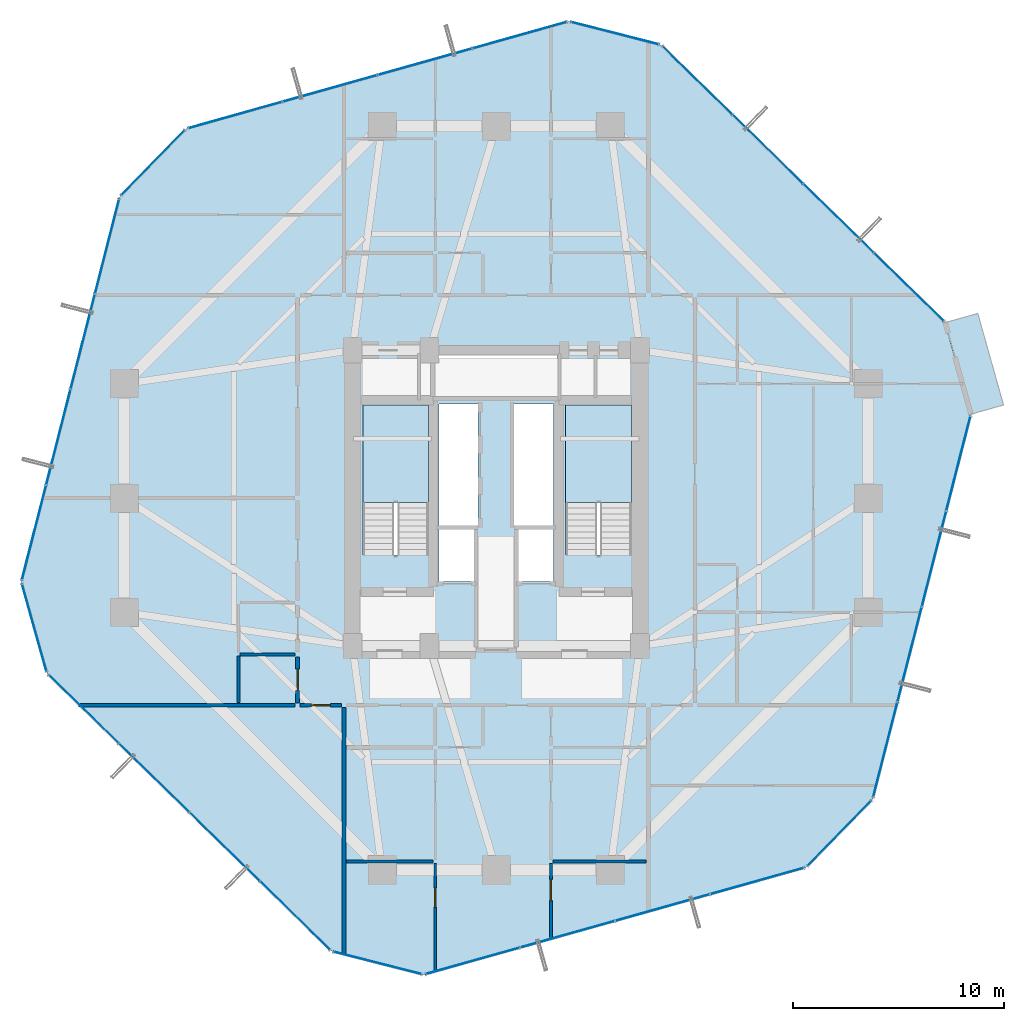
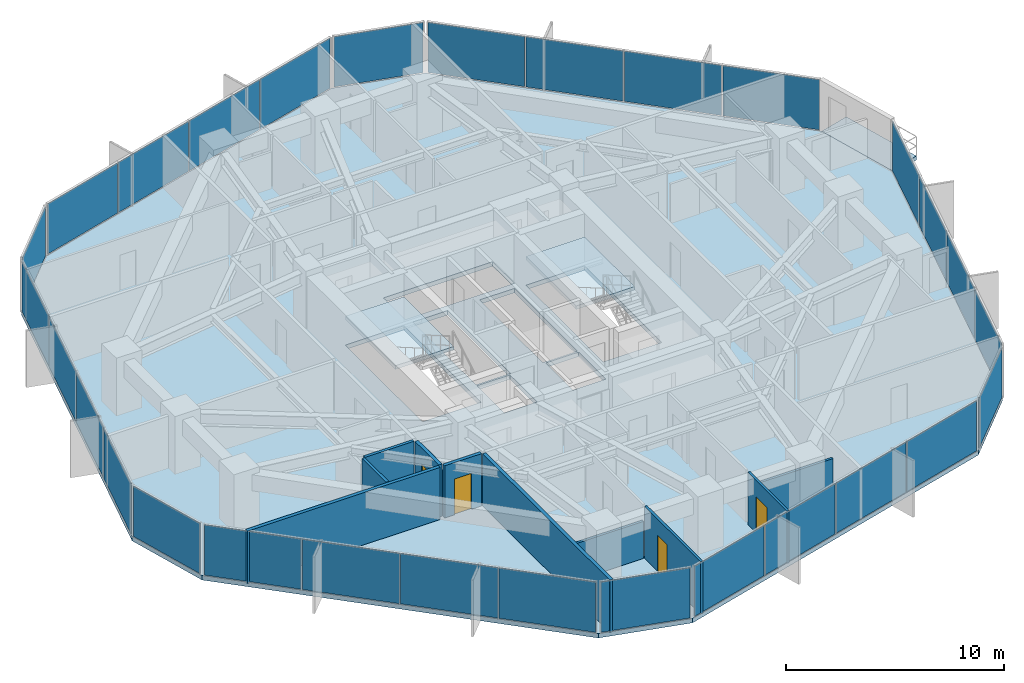
# One storey, part 33 of 39: 29 plates, 10 walls, 4 doors, 4 slabs, 4 openings, 13 elements without a shape of their own.
"""IFC4 building model written with IfcOpenShell, lengths in metres."""

from ifc_helpers import new_model, si_unit, direction, frame, frame_2d, origin, origin_2d, place, context, subcontext, project, spatial, polyline, rectangle, outline, extrude, source, transform, mapped, material, layer, layer_set, type_object, element, fill, aggregate, save


model = new_model("IFC4")

# Units and contexts
model_context = context("Model", 3, precision=1e-05, world=origin(), true_north=direction((0.0, 1.0)))
body_context = subcontext(model_context, "Body", "Model", "MODEL_VIEW")
ifc_project = project(units=[si_unit("LENGTHUNIT", "METRE"), si_unit("AREAUNIT", "SQUARE_METRE"), si_unit("VOLUMEUNIT", "CUBIC_METRE"), si_unit("PLANEANGLEUNIT", "RADIAN"), si_unit("MASSUNIT", "GRAM", prefix="KILO")], contexts=[model_context])

# Site, building, storey
site_placement = place(None, origin())
site = spatial("IfcSite", under=ifc_project, at=site_placement, CompositionType="ELEMENT")
building_placement = place(site_placement, origin())
building = spatial("IfcBuilding", under=site, at=building_placement, Name="Veraguas Prism Commons", CompositionType="ELEMENT")
storey_placement = place(building_placement, frame((0.0, 0.0, 77.10009765625)))
storey = spatial("IfcBuildingStorey", under=building, at=storey_placement, Name="L21", CompositionType="ELEMENT", Elevation=77.10009765625)

# Stair, slab
ifc_material_1 = material(Name="Precast concrete C45/55", Category="concrete")
stair_type = type_object("IfcStairType", Name="Dogleg Core Stair 1480W 20R 05", PredefinedType="HALF_TURN_STAIR", material=ifc_material_1)
stair_1_placement = place(storey_placement, origin())
stair_1 = element("IfcStair", 1, at=stair_1_placement, inside=storey, type_object=stair_type, Name="Protected Exit Stair ST-01 L21", PredefinedType="HALF_TURN_STAIR")
ifc_layer_1 = layer(ifc_material_1, 0.199951171875, Name="Precast Stair and Ramp Landing Slab 200", Category="concrete")
ifc_layer_set_1 = layer_set([ifc_layer_1], Name="Precast concrete C45/55")
slab_type_1 = type_object("IfcSlabType", Name="Precast Stair and Ramp Landing Slab 200", PredefinedType="LANDING", material=ifc_layer_set_1)
slab_1_placement = place(storey_placement, frame((0.0, 0.0, 1.4248046875)))
slab_1 = element("IfcSlab", 2, at=slab_1_placement, type_object=slab_type_1, Name="ST-05 Landing 1", PredefinedType="LANDING", context=body_context, shape_type="SweptSolid", body=[
    extrude(outline(polyline([(20.800048828125, 23.800048828125), (20.800048828125, 28.39990234375), (17.68994140625, 28.39990234375), (17.68994140625, 23.800048828125), (20.800048828125, 23.800048828125)])), origin(), (0.0, 0.0, 1.0), 0.2001953125),
])
aggregate(stair_1, [slab_1])

stair_2_placement = place(storey_placement, origin())
stair_2 = element("IfcStair", 3, at=stair_2_placement, inside=storey, type_object=stair_type, Name="Protected Exit Stair ST-02 L21", PredefinedType="HALF_TURN_STAIR")
slab_2_placement = place(storey_placement, frame((0.0, 0.0, 1.4248046875)))
slab_2 = element("IfcSlab", 4, at=slab_2_placement, type_object=slab_type_1, Name="ST-05 Landing 1", PredefinedType="LANDING", context=body_context, shape_type="SweptSolid", body=[
    extrude(outline(polyline([(30.39990234375, 23.800048828125), (30.39990234375, 28.39990234375), (27.2900390625, 28.39990234375), (27.2900390625, 23.800048828125), (30.39990234375, 23.800048828125)])), origin(), (0.0, 0.0, 1.0), 0.2001953125),
])
aggregate(stair_2, [slab_2])

# Slabs
ifc_material_2 = material(Name="Concrete C45/55", Category="concrete")
ifc_layer_2 = layer(ifc_material_2, 0.219970703125, Name="Recessed Loggia and Terrace Slab RC 220", Category="concrete")
ifc_layer_set_2 = layer_set([ifc_layer_2], Name="Concrete C45/55")
slab_type_2 = type_object("IfcSlabType", Name="Recessed Loggia and Terrace Slab RC 220", PredefinedType="FLOOR", material=ifc_layer_set_2)
slab_3_placement = place(storey_placement, frame((0.0, 0.0, -0.22021484375)))
element("IfcSlab", 5, at=slab_3_placement, inside=storey, type_object=slab_type_2, Name="Recessed Corner Loggia L21-C1", PredefinedType="FLOOR", context=body_context, shape_type="SweptSolid", body=[
    extrude(outline(polyline([(46.445068359375, 27.963623046875), (48.0048828125, 28.4013671875), (46.78857421875, 32.73388671875), (45.228759765625, 32.296142578125), (46.445068359375, 27.963623046875)])), origin(), (0.0, 0.0, 1.0), 0.22021484375),
])
ifc_layer_3 = layer(ifc_material_2, 0.25, Name="Tower Lower Residential Floor Slab RC 250", Category="concrete")
ifc_layer_set_3 = layer_set([ifc_layer_3], Name="Concrete C45/55")
slab_type_3 = type_object("IfcSlabType", Name="Tower Lower Residential Floor Slab RC 250", PredefinedType="FLOOR", material=ifc_layer_set_3)
slab_4_placement = place(storey_placement, frame((0.0, 0.0, -0.25)))
element("IfcSlab", 6, at=slab_4_placement, inside=storey, type_object=slab_type_3, Name="Tower Floor Slab L21", PredefinedType="FLOOR", context=body_context, shape_type="SweptSolid", body=[
    extrude(outline(polyline([(46.46435546875, 27.968994140625), (45.248046875, 32.301513671875), (31.794921875, 45.439208984375), (27.434814453125, 46.552001953125), (9.33056640625, 41.47021484375), (6.1865234375, 38.25048828125), (1.53564453125, 20.031005859375), (2.751953125, 15.698486328125), (16.205078125, 2.560791015625), (20.565185546875, 1.447998046875), (38.66943359375, 6.52978515625), (41.8134765625, 9.74951171875), (46.46435546875, 27.968994140625)]), holes=[polyline([(20.800048828125, 21.31005859375), (20.800048828125, 28.39990234375), (17.68994140625, 28.39990234375), (17.68994140625, 21.31005859375), (20.800048828125, 21.31005859375)]), polyline([(30.39990234375, 21.31005859375), (30.39990234375, 28.39990234375), (27.2900390625, 28.39990234375), (27.2900390625, 21.31005859375), (30.39990234375, 21.31005859375)]), polyline([(21.300048828125, 22.64990234375), (23.14990234375, 22.64990234375), (23.14990234375, 28.449951171875), (21.300048828125, 28.449951171875), (21.300048828125, 22.64990234375)]), polyline([(24.85009765625, 22.64990234375), (26.699951171875, 22.64990234375), (26.699951171875, 28.449951171875), (24.85009765625, 28.449951171875), (24.85009765625, 22.64990234375)]), polyline([(21.10009765625, 28.800048828125), (26.89990234375, 28.800048828125), (26.89990234375, 30.800048828125), (21.10009765625, 30.800048828125), (21.10009765625, 28.800048828125)]), polyline([(21.300048828125, 20.050048828125), (23.050048828125, 20.050048828125), (23.050048828125, 22.550048828125), (21.300048828125, 22.550048828125), (21.300048828125, 20.050048828125)]), polyline([(24.949951171875, 20.050048828125), (26.699951171875, 20.050048828125), (26.699951171875, 22.550048828125), (24.949951171875, 22.550048828125), (24.949951171875, 20.050048828125)])]), origin(), (0.0, 0.0, 1.0), 0.25),
])

# Curtain wall, plates
ifc_material_3 = material(Name="Anodised aluminium EN AW-6063 T6", Category="aluminium")
ifc_layer_4 = layer(ifc_material_3, 0.169921875, Name="Unitised Flush Curtain Wall Zone 1", Category="aluminium")
ifc_layer_set_4 = layer_set([ifc_layer_4], Name="Anodised aluminium EN AW-6063 T6")
curtain_wall_type = type_object("IfcCurtainWallType", Name="Unitised Flush Curtain Wall Zone 1", PredefinedType="NOTDEFINED", material=ifc_layer_set_4)
curtain_wall_1_placement = place(storey_placement, origin())
curtain_wall_1 = element("IfcCurtainWall", 7, at=curtain_wall_1_placement, inside=storey, type_object=curtain_wall_type, Name="Tower Facade Curtain Wall L21-F1", PredefinedType="NOTDEFINED")
ifc_material_4 = material(Name="Laminated low-e glass", Category="glass")
ifc_layer_5 = layer(ifc_material_4, 0.028076171875, Name="Unitised Double Low-E Glazed Panel 28", Category="glass")
ifc_layer_set_5 = layer_set([ifc_layer_5], Name="Laminated low-e glass")
plate_type = type_object("IfcPlateType", Name="Unitised Double Low-E Glazed Panel 28", PredefinedType="CURTAIN_PANEL", material=ifc_layer_set_5)
shared_shape_1 = source(origin(), body_context, "Body", "SweptSolid", [
    extrude(rectangle(XDim=4.5810546875, YDim=0.028076171875, at=origin_2d()), origin(), (0.0, 0.0, 1.0), 2.820068359375),
])
plate_1_placement = place(storey_placement, frame((43.5234375, 33.985595703125, 0.0546875), z_axis=(0.0, 0.0, 1.0), x_axis=(-0.715448897181, 0.698665066769, 0.0)))
plate_1 = element("IfcPlate", 8, at=plate_1_placement, type_object=plate_type, Name="CW-Z1 Panel 1.1", PredefinedType="CURTAIN_PANEL", context=body_context, shape_type="MappedRepresentation", body=[
    mapped(shared_shape_1, transform((0.0, 0.0, 0.0), scale=1.0)),
])
plate_2_placement = place(storey_placement, frame((33.51953125, 43.7548828125, 0.0546875), z_axis=(0.0, 0.0, 1.0), x_axis=(-0.715448897181, 0.698665066769, 0.0)))
plate_2 = element("IfcPlate", 9, at=plate_2_placement, type_object=plate_type, Name="CW-Z1 Panel 4.1", PredefinedType="CURTAIN_PANEL", context=body_context, shape_type="MappedRepresentation", body=[
    mapped(shared_shape_1, transform((0.0, 0.0, 0.0), scale=1.0)),
])

curtain_wall_2_placement = place(storey_placement, origin())
curtain_wall_2 = element("IfcCurtainWall", 10, at=curtain_wall_2_placement, inside=storey, type_object=curtain_wall_type, Name="Tower Facade Curtain Wall L21-F2", PredefinedType="NOTDEFINED")
plate_3_placement = place(storey_placement, frame((25.114013671875, 45.900634765625, 0.0546875), z_axis=(0.0, 0.0, 1.0), x_axis=(-0.962785673447, -0.270266067062, 0.0)))
plate_3 = element("IfcPlate", 11, at=plate_3_placement, type_object=plate_type, Name="CW-Z1 Panel 1.1", PredefinedType="CURTAIN_PANEL", context=body_context, shape_type="MappedRepresentation", body=[
    mapped(shared_shape_1, transform((0.0, 0.0, 0.0), scale=1.0)),
])
plate_4_placement = place(storey_placement, frame((11.6513671875, 42.12158203125, 0.0546875), z_axis=(0.0, 0.0, 1.0), x_axis=(-0.962785673447, -0.270266067062, 0.0)))
plate_4 = element("IfcPlate", 12, at=plate_4_placement, type_object=plate_type, Name="CW-Z1 Panel 4.1", PredefinedType="CURTAIN_PANEL", context=body_context, shape_type="MappedRepresentation", body=[
    mapped(shared_shape_1, transform((0.0, 0.0, 0.0), scale=1.0)),
])

curtain_wall_3_placement = place(storey_placement, origin())
curtain_wall_3 = element("IfcCurtainWall", 13, at=curtain_wall_3_placement, inside=storey, type_object=curtain_wall_type, Name="Tower Facade Curtain Wall L21-F3", PredefinedType="NOTDEFINED")
plate_5_placement = place(storey_placement, frame((5.59033203125, 35.9150390625, 0.0546875), z_axis=(0.0, 0.0, 1.0), x_axis=(-0.247340630168, -0.968928590077, 0.0)))
plate_5 = element("IfcPlate", 14, at=plate_5_placement, type_object=plate_type, Name="CW-Z1 Panel 1.1", PredefinedType="CURTAIN_PANEL", context=body_context, shape_type="MappedRepresentation", body=[
    mapped(shared_shape_1, transform((0.0, 0.0, 0.0), scale=1.0)),
])
plate_6_placement = place(storey_placement, frame((2.1318359375, 22.366455078125, 0.0546875), z_axis=(0.0, 0.0, 1.0), x_axis=(-0.247340630168, -0.968928590077, 0.0)))
plate_6 = element("IfcPlate", 15, at=plate_6_placement, type_object=plate_type, Name="CW-Z1 Panel 4.1", PredefinedType="CURTAIN_PANEL", context=body_context, shape_type="MappedRepresentation", body=[
    mapped(shared_shape_1, transform((0.0, 0.0, 0.0), scale=1.0)),
])

curtain_wall_4_placement = place(storey_placement, origin())
curtain_wall_4 = element("IfcCurtainWall", 16, at=curtain_wall_4_placement, inside=storey, type_object=curtain_wall_type, Name="Tower Facade Curtain Wall L21-F4", PredefinedType="NOTDEFINED")
plate_7_placement = place(storey_placement, frame((4.4765625, 14.014404296875, 0.0546875), z_axis=(0.0, 0.0, 1.0), x_axis=(0.715448897181, -0.698665066769, 0.0)))
plate_7 = element("IfcPlate", 17, at=plate_7_placement, type_object=plate_type, Name="CW-Z1 Panel 1.1", PredefinedType="CURTAIN_PANEL", context=body_context, shape_type="MappedRepresentation", body=[
    mapped(shared_shape_1, transform((0.0, 0.0, 0.0), scale=1.0)),
])
plate_8_placement = place(storey_placement, frame((14.48046875, 4.2451171875, 0.0546875), z_axis=(0.0, 0.0, 1.0), x_axis=(0.715448897181, -0.698665066769, 0.0)))
plate_8 = element("IfcPlate", 18, at=plate_8_placement, type_object=plate_type, Name="CW-Z1 Panel 4.1", PredefinedType="CURTAIN_PANEL", context=body_context, shape_type="MappedRepresentation", body=[
    mapped(shared_shape_1, transform((0.0, 0.0, 0.0), scale=1.0)),
])

curtain_wall_5_placement = place(storey_placement, origin())
curtain_wall_5 = element("IfcCurtainWall", 19, at=curtain_wall_5_placement, inside=storey, type_object=curtain_wall_type, Name="Tower Facade Curtain Wall L21-F5", PredefinedType="NOTDEFINED")
plate_9_placement = place(storey_placement, frame((22.885986328125, 2.099365234375, 0.0546875), z_axis=(0.0, 0.0, 1.0), x_axis=(0.962785673447, 0.270266067062, 0.0)))
plate_9 = element("IfcPlate", 20, at=plate_9_placement, type_object=plate_type, Name="CW-Z1 Panel 1.1", PredefinedType="CURTAIN_PANEL", context=body_context, shape_type="MappedRepresentation", body=[
    mapped(shared_shape_1, transform((0.0, 0.0, 0.0), scale=1.0)),
])
plate_10_placement = place(storey_placement, frame((36.3486328125, 5.87841796875, 0.0546875), z_axis=(0.0, 0.0, 1.0), x_axis=(0.962785673447, 0.270266067062, 0.0)))
plate_10 = element("IfcPlate", 21, at=plate_10_placement, type_object=plate_type, Name="CW-Z1 Panel 4.1", PredefinedType="CURTAIN_PANEL", context=body_context, shape_type="MappedRepresentation", body=[
    mapped(shared_shape_1, transform((0.0, 0.0, 0.0), scale=1.0)),
])

curtain_wall_6_placement = place(storey_placement, origin())
curtain_wall_6 = element("IfcCurtainWall", 22, at=curtain_wall_6_placement, inside=storey, type_object=curtain_wall_type, Name="Tower Facade Curtain Wall L21-F6", PredefinedType="NOTDEFINED")
plate_11_placement = place(storey_placement, frame((42.40966796875, 12.0849609375, 0.0546875), z_axis=(0.0, 0.0, 1.0), x_axis=(0.247340630168, 0.968928590077, 0.0)))
plate_11 = element("IfcPlate", 23, at=plate_11_placement, type_object=plate_type, Name="CW-Z1 Panel 1.1", PredefinedType="CURTAIN_PANEL", context=body_context, shape_type="MappedRepresentation", body=[
    mapped(shared_shape_1, transform((0.0, 0.0, 0.0), scale=1.0)),
])
plate_12_placement = place(storey_placement, frame((45.8681640625, 25.633544921875, 0.0546875), z_axis=(0.0, 0.0, 1.0), x_axis=(0.247340630168, 0.968928590077, 0.0)))
plate_12 = element("IfcPlate", 24, at=plate_12_placement, type_object=plate_type, Name="CW-Z1 Panel 4.1", PredefinedType="CURTAIN_PANEL", context=body_context, shape_type="MappedRepresentation", body=[
    mapped(shared_shape_1, transform((0.0, 0.0, 0.0), scale=1.0)),
])

# Plate
shared_shape_2 = source(origin(), body_context, "Body", "SweptSolid", [
    extrude(rectangle(XDim=4.611083984375, YDim=0.028076171875, at=origin_2d()), origin(), (0.0, 0.0, 1.0), 2.820068359375),
])
plate_13_placement = place(storey_placement, frame((40.1923828125, 37.238525390625, 0.0546875), z_axis=(0.0, 0.0, 1.0), x_axis=(-0.715448897181, 0.698665066769, 0.0)))
plate_13 = element("IfcPlate", 25, at=plate_13_placement, type_object=plate_type, Name="CW-Z1 Panel 2.1", PredefinedType="CURTAIN_PANEL", context=body_context, shape_type="MappedRepresentation", body=[
    mapped(shared_shape_2, transform((0.0, 0.0, 0.0), scale=1.0)),
])

plate_14_placement = place(storey_placement, frame((36.8505859375, 40.501953125, 0.0546875), z_axis=(0.0, 0.0, 1.0), x_axis=(-0.715448897181, 0.698665066769, 0.0)))
plate_14 = element("IfcPlate", 26, at=plate_14_placement, type_object=plate_type, Name="CW-Z1 Panel 3.1", PredefinedType="CURTAIN_PANEL", context=body_context, shape_type="MappedRepresentation", body=[
    mapped(shared_shape_2, transform((0.0, 0.0, 0.0), scale=1.0)),
])

aggregate(curtain_wall_1, [plate_1, plate_13, plate_14, plate_2])

plate_15_placement = place(storey_placement, frame((4.438720703125, 31.40380859375, 0.0546875), z_axis=(0.0, 0.0, 1.0), x_axis=(-0.247340630168, -0.968928590077, 0.0)))
plate_15 = element("IfcPlate", 27, at=plate_15_placement, type_object=plate_type, Name="CW-Z1 Panel 2.1", PredefinedType="CURTAIN_PANEL", context=body_context, shape_type="MappedRepresentation", body=[
    mapped(shared_shape_2, transform((0.0, 0.0, 0.0), scale=1.0)),
])

plate_16_placement = place(storey_placement, frame((3.283447265625, 26.8779296875, 0.0546875), z_axis=(0.0, 0.0, 1.0), x_axis=(-0.247340630168, -0.968928590077, 0.0)))
plate_16 = element("IfcPlate", 28, at=plate_16_placement, type_object=plate_type, Name="CW-Z1 Panel 3.1", PredefinedType="CURTAIN_PANEL", context=body_context, shape_type="MappedRepresentation", body=[
    mapped(shared_shape_2, transform((0.0, 0.0, 0.0), scale=1.0)),
])

aggregate(curtain_wall_3, [plate_5, plate_15, plate_16, plate_6])

plate_17_placement = place(storey_placement, frame((7.8076171875, 10.761474609375, 0.0546875), z_axis=(0.0, 0.0, 1.0), x_axis=(0.715448897181, -0.698665066769, 0.0)))
plate_17 = element("IfcPlate", 29, at=plate_17_placement, type_object=plate_type, Name="CW-Z1 Panel 2.1", PredefinedType="CURTAIN_PANEL", context=body_context, shape_type="MappedRepresentation", body=[
    mapped(shared_shape_2, transform((0.0, 0.0, 0.0), scale=1.0)),
])

plate_18_placement = place(storey_placement, frame((11.1494140625, 7.498046875, 0.0546875), z_axis=(0.0, 0.0, 1.0), x_axis=(0.715448897181, -0.698665066769, 0.0)))
plate_18 = element("IfcPlate", 30, at=plate_18_placement, type_object=plate_type, Name="CW-Z1 Panel 3.1", PredefinedType="CURTAIN_PANEL", context=body_context, shape_type="MappedRepresentation", body=[
    mapped(shared_shape_2, transform((0.0, 0.0, 0.0), scale=1.0)),
])

aggregate(curtain_wall_4, [plate_7, plate_17, plate_18, plate_8])

plate_19_placement = place(storey_placement, frame((43.561279296875, 16.59619140625, 0.0546875), z_axis=(0.0, 0.0, 1.0), x_axis=(0.247340630168, 0.968928590077, 0.0)))
plate_19 = element("IfcPlate", 31, at=plate_19_placement, type_object=plate_type, Name="CW-Z1 Panel 2.1", PredefinedType="CURTAIN_PANEL", context=body_context, shape_type="MappedRepresentation", body=[
    mapped(shared_shape_2, transform((0.0, 0.0, 0.0), scale=1.0)),
])

plate_20_placement = place(storey_placement, frame((44.716552734375, 21.1220703125, 0.0546875), z_axis=(0.0, 0.0, 1.0), x_axis=(0.247340630168, 0.968928590077, 0.0)))
plate_20 = element("IfcPlate", 32, at=plate_20_placement, type_object=plate_type, Name="CW-Z1 Panel 3.1", PredefinedType="CURTAIN_PANEL", context=body_context, shape_type="MappedRepresentation", body=[
    mapped(shared_shape_2, transform((0.0, 0.0, 0.0), scale=1.0)),
])

aggregate(curtain_wall_6, [plate_11, plate_19, plate_20, plate_12])

shared_shape_3 = source(origin(), body_context, "Body", "SweptSolid", [
    extrude(rectangle(XDim=4.61083984375, YDim=0.028076171875, at=origin_2d()), origin(), (0.0, 0.0, 1.0), 2.820068359375),
])
plate_21_placement = place(storey_placement, frame((20.631103515625, 44.642333984375, 0.0546875), z_axis=(0.0, 0.0, 1.0), x_axis=(-0.962785673447, -0.270266067062, 0.0)))
plate_21 = element("IfcPlate", 33, at=plate_21_placement, type_object=plate_type, Name="CW-Z1 Panel 2.1", PredefinedType="CURTAIN_PANEL", context=body_context, shape_type="MappedRepresentation", body=[
    mapped(shared_shape_3, transform((0.0, 0.0, 0.0), scale=1.0)),
])

plate_22_placement = place(storey_placement, frame((16.134033203125, 43.3798828125, 0.0546875), z_axis=(0.0, 0.0, 1.0), x_axis=(-0.962785673447, -0.270266067062, 0.0)))
plate_22 = element("IfcPlate", 34, at=plate_22_placement, type_object=plate_type, Name="CW-Z1 Panel 3.1", PredefinedType="CURTAIN_PANEL", context=body_context, shape_type="MappedRepresentation", body=[
    mapped(shared_shape_3, transform((0.0, 0.0, 0.0), scale=1.0)),
])

aggregate(curtain_wall_2, [plate_3, plate_21, plate_22, plate_4])

plate_23_placement = place(storey_placement, frame((27.368896484375, 3.357666015625, 0.0546875), z_axis=(0.0, 0.0, 1.0), x_axis=(0.962785673447, 0.270266067062, 0.0)))
plate_23 = element("IfcPlate", 35, at=plate_23_placement, type_object=plate_type, Name="CW-Z1 Panel 2.1", PredefinedType="CURTAIN_PANEL", context=body_context, shape_type="MappedRepresentation", body=[
    mapped(shared_shape_3, transform((0.0, 0.0, 0.0), scale=1.0)),
])

plate_24_placement = place(storey_placement, frame((31.865966796875, 4.6201171875, 0.0546875), z_axis=(0.0, 0.0, 1.0), x_axis=(0.962785673447, 0.270266067062, 0.0)))
plate_24 = element("IfcPlate", 36, at=plate_24_placement, type_object=plate_type, Name="CW-Z1 Panel 3.1", PredefinedType="CURTAIN_PANEL", context=body_context, shape_type="MappedRepresentation", body=[
    mapped(shared_shape_3, transform((0.0, 0.0, 0.0), scale=1.0)),
])

aggregate(curtain_wall_5, [plate_9, plate_23, plate_24, plate_10])

# Curtain wall, plate
curtain_wall_7_placement = place(storey_placement, origin())
curtain_wall_7 = element("IfcCurtainWall", 37, at=curtain_wall_7_placement, inside=storey, type_object=curtain_wall_type, Name="Chamfer Curtain Wall L21-C2", PredefinedType="NOTDEFINED")
shared_shape_4 = source(origin(), body_context, "Body", "SweptSolid", [
    extrude(rectangle(XDim=4.260009765625, YDim=0.028076171875, at=origin_2d()), origin(), (0.0, 0.0, 1.0), 2.820068359375),
])
plate_25_placement = place(storey_placement, frame((29.61474609375, 45.99560546875, 0.0546875), z_axis=(0.0, 0.0, 1.0), x_axis=(-0.968927294991, 0.247345703463, 0.0)))
plate_25 = element("IfcPlate", 38, at=plate_25_placement, type_object=plate_type, Name="CW-Z1 Panel 1.1", PredefinedType="CURTAIN_PANEL", context=body_context, shape_type="MappedRepresentation", body=[
    mapped(shared_shape_4, transform((0.0, 0.0, 0.0), scale=1.0)),
])
aggregate(curtain_wall_7, [plate_25])

curtain_wall_8_placement = place(storey_placement, origin())
curtain_wall_8 = element("IfcCurtainWall", 39, at=curtain_wall_8_placement, inside=storey, type_object=curtain_wall_type, Name="Chamfer Curtain Wall L21-C3", PredefinedType="NOTDEFINED")
plate_26_placement = place(storey_placement, frame((7.758544921875, 39.8603515625, 0.0546875), z_axis=(0.0, 0.0, 1.0), x_axis=(-0.698666315462, -0.715447677779, 0.0)))
plate_26 = element("IfcPlate", 40, at=plate_26_placement, type_object=plate_type, Name="CW-Z1 Panel 1.1", PredefinedType="CURTAIN_PANEL", context=body_context, shape_type="MappedRepresentation", body=[
    mapped(shared_shape_4, transform((0.0, 0.0, 0.0), scale=1.0)),
])
aggregate(curtain_wall_8, [plate_26])

curtain_wall_9_placement = place(storey_placement, origin())
curtain_wall_9 = element("IfcCurtainWall", 41, at=curtain_wall_9_placement, inside=storey, type_object=curtain_wall_type, Name="Chamfer Curtain Wall L21-C4", PredefinedType="NOTDEFINED")
plate_27_placement = place(storey_placement, frame((2.143798828125, 17.86474609375, 0.0546875), z_axis=(0.0, 0.0, 1.0), x_axis=(0.27027951006, -0.962781899727, 0.0)))
plate_27 = element("IfcPlate", 42, at=plate_27_placement, type_object=plate_type, Name="CW-Z1 Panel 1.1", PredefinedType="CURTAIN_PANEL", context=body_context, shape_type="MappedRepresentation", body=[
    mapped(shared_shape_4, transform((0.0, 0.0, 0.0), scale=1.0)),
])
aggregate(curtain_wall_9, [plate_27])

curtain_wall_10_placement = place(storey_placement, origin())
curtain_wall_10 = element("IfcCurtainWall", 43, at=curtain_wall_10_placement, inside=storey, type_object=curtain_wall_type, Name="Chamfer Curtain Wall L21-C5", PredefinedType="NOTDEFINED")
plate_28_placement = place(storey_placement, frame((18.38525390625, 2.00439453125, 0.0546875), z_axis=(0.0, 0.0, 1.0), x_axis=(0.968927294991, -0.247345703463, 0.0)))
plate_28 = element("IfcPlate", 44, at=plate_28_placement, type_object=plate_type, Name="CW-Z1 Panel 1.1", PredefinedType="CURTAIN_PANEL", context=body_context, shape_type="MappedRepresentation", body=[
    mapped(shared_shape_4, transform((0.0, 0.0, 0.0), scale=1.0)),
])
aggregate(curtain_wall_10, [plate_28])

curtain_wall_11_placement = place(storey_placement, origin())
curtain_wall_11 = element("IfcCurtainWall", 45, at=curtain_wall_11_placement, inside=storey, type_object=curtain_wall_type, Name="Chamfer Curtain Wall L21-C6", PredefinedType="NOTDEFINED")
plate_29_placement = place(storey_placement, frame((40.241455078125, 8.1396484375, 0.0546875), z_axis=(0.0, 0.0, 1.0), x_axis=(0.698666315462, 0.715447677779, 0.0)))
plate_29 = element("IfcPlate", 46, at=plate_29_placement, type_object=plate_type, Name="CW-Z1 Panel 1.1", PredefinedType="CURTAIN_PANEL", context=body_context, shape_type="MappedRepresentation", body=[
    mapped(shared_shape_4, transform((0.0, 0.0, 0.0), scale=1.0)),
])
aggregate(curtain_wall_11, [plate_29])

# Walls
ifc_material_5 = material(Name="Autoclaved aerated masonry block 10 MPa", Category="masonry")
ifc_layer_6 = layer(ifc_material_5, 0.179931640625, Name="Corridor and Inter-Tenancy Partition 180", Category="masonry")
ifc_layer_set_6 = layer_set([ifc_layer_6], Name="Autoclaved aerated masonry block 10 MPa")
wall_type_1 = type_object("IfcWallType", Name="Corridor and Inter-Tenancy Partition 180", PredefinedType="PARTITIONING", material=ifc_layer_set_6)
wall_1_placement = place(storey_placement, frame((16.800048828125, 14.080078125, 0.0), z_axis=(0.0, 0.0, 1.0), x_axis=(0.0, -1.0, 0.0)))
element("IfcWall", 47, at=wall_1_placement, inside=storey, type_object=wall_type_1, Name="WL-L21-PT001", PredefinedType="PARTITIONING", context=body_context, shape_type="SweptSolid", body=[
    extrude(rectangle(XDim=11.701904296875, YDim=0.179931640625, at=frame_2d((5.85107421875, 0.0))), origin(), (0.0, 0.0, 1.0), 2.929931640625),
])
wall_2_placement = place(storey_placement, frame((14.47998046875, 14.199951171875, 0.0), z_axis=(0.0, 0.0, 1.0), x_axis=(-1.0, 0.0, 0.0)))
element("IfcWall", 48, at=wall_2_placement, inside=storey, type_object=wall_type_1, Name="WL-L21-PT033", PredefinedType="PARTITIONING", context=body_context, shape_type="SweptSolid", body=[
    extrude(rectangle(XDim=10.236572265625, YDim=0.179931640625, at=frame_2d((5.1181640625, 0.0))), origin(), (0.0, 0.0, 1.0), 2.929931640625),
])

# Wall, opening, door
wall_3_placement = place(storey_placement, frame((14.60009765625, 14.31005859375, 0.0), z_axis=(0.0, 0.0, 1.0), x_axis=(0.0, 1.0, 0.0)))
wall_3 = element("IfcWall", 49, at=wall_3_placement, inside=storey, type_object=wall_type_1, Name="WL-L21-PT035", PredefinedType="PARTITIONING", context=body_context, shape_type="SweptSolid", body=[
    extrude(rectangle(XDim=2.179931640625, YDim=0.179931640625, at=frame_2d((1.08984375, 0.0))), origin(), (0.0, 0.0, 1.0), 2.929931640625),
])
opening_1_placement = place(wall_3_placement, frame((0.590087890625, 0.0, 0.0)))
opening_1 = element("IfcOpeningElement", 50, at=opening_1_placement, cuts=wall_3, Name="Opening DR-13", PredefinedType="OPENING", context=body_context, shape_type="SweptSolid", body=[
    extrude(rectangle(XDim=1.0, YDim=2.010009765625, at=frame_2d((0.5, 1.0048828125))), frame((0.0, 0.099853515625, 0.0), z_axis=(0.0, -1.0, 0.0), x_axis=(1.0, 0.0, 0.0)), (0.0, 0.0, 1.0), 0.199951171875),
])
ifc_material_6 = material(Name="Steel fire-rated door assembly", Category="steel")
door_type_1 = type_object("IfcDoorType", Name="Core Accessible WC and Clinic Fire Door 1000x2010", OperationType="NOTDEFINED", PredefinedType="DOOR", material=ifc_material_6)
shared_shape_5 = source(origin(), body_context, "Body", "SweptSolid", [
    extrude(rectangle(XDim=1.0, YDim=2.010009765625, at=frame_2d((0.5, 1.0048828125))), frame((0.0, 0.02490234375, 0.0), z_axis=(0.0, -1.0, 0.0), x_axis=(1.0, 0.0, 0.0)), (0.0, 0.0, 1.0), 0.050048828125),
])
door_1_placement = place(opening_1_placement, origin())
door_1 = element("IfcDoor", 51, at=door_1_placement, inside=storey, type_object=door_type_1, Name="Public WC L21 Door", OperationType="SINGLE_SWING_LEFT", OverallHeight=2.010009765625, OverallWidth=1.0, PredefinedType="DOOR", context=body_context, shape_type="MappedRepresentation", body=[
    mapped(shared_shape_5, transform((0.0, 0.0, 0.0), scale=1.0)),
])
fill(opening_1, door_1)

wall_4_placement = place(storey_placement, frame((14.719970703125, 14.199951171875, 0.0), z_axis=(0.0, 0.0, 1.0), x_axis=(1.0, 0.0, 0.0)))
wall_4 = element("IfcWall", 52, at=wall_4_placement, inside=storey, type_object=wall_type_1, Name="WL-L21-PT061", PredefinedType="PARTITIONING", context=body_context, shape_type="SweptSolid", body=[
    extrude(rectangle(XDim=1.9599609375, YDim=0.179931640625, at=frame_2d((0.97998046875, 0.0))), origin(), (0.0, 0.0, 1.0), 2.929931640625),
])
opening_2_placement = place(wall_4_placement, frame((0.530029296875, 0.0, 0.0)))
opening_2 = element("IfcOpeningElement", 53, at=opening_2_placement, cuts=wall_4, Name="Opening DR-14", PredefinedType="OPENING", context=body_context, shape_type="SweptSolid", body=[
    extrude(rectangle(XDim=0.89990234375, YDim=2.010009765625, at=frame_2d((0.449951171875, 1.0048828125))), frame((0.0, 0.099853515625, 0.0), z_axis=(0.0, -1.0, 0.0), x_axis=(1.0, 0.0, 0.0)), (0.0, 0.0, 1.0), 0.199951171875),
])
door_type_2 = type_object("IfcDoorType", Name="Core Service Room Fire Door 900x2010", OperationType="NOTDEFINED", PredefinedType="DOOR", material=ifc_material_6)
shared_shape_6 = source(origin(), body_context, "Body", "SweptSolid", [
    extrude(rectangle(XDim=0.89990234375, YDim=2.010009765625, at=frame_2d((0.449951171875, 1.0048828125))), frame((0.0, 0.02490234375, 0.0), z_axis=(0.0, -1.0, 0.0), x_axis=(1.0, 0.0, 0.0)), (0.0, 0.0, 1.0), 0.050048828125),
])
door_2_placement = place(opening_2_placement, origin())
door_2 = element("IfcDoor", 54, at=door_2_placement, inside=storey, type_object=door_type_2, Name="Residents Corner Study Room SW Door", OperationType="SINGLE_SWING_RIGHT", OverallHeight=2.010009765625, OverallWidth=0.89990234375, PredefinedType="DOOR", context=body_context, shape_type="MappedRepresentation", body=[
    mapped(shared_shape_6, transform((0.0, 0.0, 0.0), scale=1.0)),
])
fill(opening_2, door_2)

# Wall
ifc_material_7 = material(Name="Lightweight acoustic gypsum board")
ifc_layer_7 = layer(ifc_material_7, 0.125, Name="Internal Apartment Room Partition 125")
ifc_layer_set_7 = layer_set([ifc_layer_7], Name="Lightweight acoustic gypsum board")
wall_type_2 = type_object("IfcWallType", Name="Internal Apartment Room Partition 125", PredefinedType="PARTITIONING", material=ifc_layer_set_7)
wall_5_placement = place(storey_placement, frame((16.919921875, 6.800048828125, 0.0), z_axis=(0.0, 0.0, 1.0), x_axis=(1.0, 0.0, 0.0)))
element("IfcWall", 55, at=wall_5_placement, inside=storey, type_object=wall_type_2, Name="WL-L21-PT005", PredefinedType="PARTITIONING", context=body_context, shape_type="SweptSolid", body=[
    extrude(rectangle(XDim=4.10009765625, YDim=0.125, at=frame_2d((2.050048828125, 0.0))), origin(), (0.0, 0.0, 1.0), 2.079833984375),
])

# Wall, opening, door
wall_6_placement = place(storey_placement, frame((21.1201171875, 6.699951171875, 0.0), z_axis=(0.0, 0.0, 1.0), x_axis=(0.0, -1.0, 0.0)))
wall_6 = element("IfcWall", 56, at=wall_6_placement, inside=storey, type_object=wall_type_2, Name="WL-L21-PT006", PredefinedType="PARTITIONING", context=body_context, shape_type="SweptSolid", body=[
    extrude(rectangle(XDim=5.12744140625, YDim=0.125, at=frame_2d((2.563720703125, 0.0))), origin(), (0.0, 0.0, 1.0), 2.929931640625),
])
opening_3_placement = place(wall_6_placement, frame((1.156982421875, 0.0, 0.0)))
opening_3 = element("IfcOpeningElement", 57, at=opening_3_placement, cuts=wall_6, Name="Opening DR-02", PredefinedType="OPENING", context=body_context, shape_type="SweptSolid", body=[
    extrude(rectangle(XDim=0.89990234375, YDim=2.010009765625, at=frame_2d((0.449951171875, 1.0048828125))), frame((0.0, 0.072509765625, 0.0), z_axis=(0.0, -1.0, 0.0), x_axis=(1.0, 0.0, 0.0)), (0.0, 0.0, 1.0), 0.14501953125),
])
ifc_material_8 = material(Name="Timber solid core hardwood", Category="wood")
door_type_3 = type_object("IfcDoorType", Name="Internal Habitable Room Door 900x2010", OperationType="NOTDEFINED", PredefinedType="DOOR", material=ifc_material_8)
door_3_placement = place(opening_3_placement, origin())
door_3 = element("IfcDoor", 58, at=door_3_placement, inside=storey, type_object=door_type_3, Name="Flat 21A Bedroom 3 Door", OperationType="SINGLE_SWING_LEFT", OverallHeight=2.010009765625, OverallWidth=0.89990234375, PredefinedType="DOOR", context=body_context, shape_type="MappedRepresentation", body=[
    mapped(shared_shape_6, transform((0.0, 0.0, 0.0), scale=1.0)),
])
fill(opening_3, door_3)

# Wall
wall_7_placement = place(storey_placement, frame((26.69189453125, 6.800048828125, 0.0), z_axis=(0.0, 0.0, 1.0), x_axis=(1.0, 0.0, 0.0)))
element("IfcWall", 59, at=wall_7_placement, inside=storey, type_object=wall_type_2, Name="WL-L21-PT007", PredefinedType="PARTITIONING", context=body_context, shape_type="SweptSolid", body=[
    extrude(rectangle(XDim=4.38818359375, YDim=0.125, at=frame_2d((2.194091796875, 0.0))), origin(), (0.0, 0.0, 1.0), 2.079833984375),
])

# Wall, opening, door
wall_8_placement = place(storey_placement, frame((26.592041015625, 6.699951171875, 0.0), z_axis=(0.0, 0.0, 1.0), x_axis=(0.0, -1.0, 0.0)))
wall_8 = element("IfcWall", 60, at=wall_8_placement, inside=storey, type_object=wall_type_2, Name="WL-L21-PT008", PredefinedType="PARTITIONING", context=body_context, shape_type="SweptSolid", body=[
    extrude(rectangle(XDim=3.591552734375, YDim=0.125, at=frame_2d((1.7958984375, 0.0))), origin(), (0.0, 0.0, 1.0), 2.929931640625),
])
opening_4_placement = place(wall_8_placement, frame((0.747802734375, 0.0, 0.0)))
opening_4 = element("IfcOpeningElement", 61, at=opening_4_placement, cuts=wall_8, Name="Opening DR-04", PredefinedType="OPENING", context=body_context, shape_type="SweptSolid", body=[
    extrude(rectangle(XDim=1.0, YDim=2.010009765625, at=frame_2d((0.5, 1.0048828125))), frame((0.0, 0.072509765625, 0.0), z_axis=(0.0, -1.0, 0.0), x_axis=(1.0, 0.0, 0.0)), (0.0, 0.0, 1.0), 0.14501953125),
])
door_type_4 = type_object("IfcDoorType", Name="Accessible WC and Clinic Exam Door 1000x2010", OperationType="NOTDEFINED", PredefinedType="DOOR", material=ifc_material_3)
door_4_placement = place(opening_4_placement, origin())
door_4 = element("IfcDoor", 62, at=door_4_placement, inside=storey, type_object=door_type_4, Name="Flat 21A Study Door", OperationType="SINGLE_SWING_RIGHT", OverallHeight=2.010009765625, OverallWidth=1.0, PredefinedType="DOOR", context=body_context, shape_type="MappedRepresentation", body=[
    mapped(shared_shape_5, transform((0.0, 0.0, 0.0), scale=1.0)),
])
fill(opening_4, door_4)

# Walls
ifc_layer_8 = layer(ifc_material_7, 0.14990234375, Name="Wet Room and Clinic Acoustic Partition 150")
ifc_layer_set_8 = layer_set([ifc_layer_8], Name="Lightweight acoustic gypsum board")
wall_type_3 = type_object("IfcWallType", Name="Wet Room and Clinic Acoustic Partition 150", PredefinedType="PARTITIONING", material=ifc_layer_set_8)
wall_9_placement = place(storey_placement, frame((14.47998046875, 16.60009765625, 0.0), z_axis=(0.0, 0.0, 1.0), x_axis=(-1.0, 0.0, 0.0)))
element("IfcWall", 63, at=wall_9_placement, inside=storey, type_object=wall_type_3, Name="WL-L21-PT039", PredefinedType="PARTITIONING", context=body_context, shape_type="SweptSolid", body=[
    extrude(rectangle(XDim=2.60009765625, YDim=0.14990234375, at=frame_2d((1.300048828125, 0.0))), origin(), (0.0, 0.0, 1.0), 2.929931640625),
])
wall_10_placement = place(storey_placement, frame((11.800048828125, 14.320068359375, 0.0), z_axis=(0.0, 0.0, 1.0), x_axis=(0.0, 1.0, 0.0)))
element("IfcWall", 64, at=wall_10_placement, inside=storey, type_object=wall_type_3, Name="WL-L21-PT041", PredefinedType="PARTITIONING", context=body_context, shape_type="SweptSolid", body=[
    extrude(rectangle(XDim=2.199951171875, YDim=0.14990234375, at=frame_2d((1.10009765625, 0.0))), origin(), (0.0, 0.0, 1.0), 2.929931640625),
])

save(model, "model.ifc")
